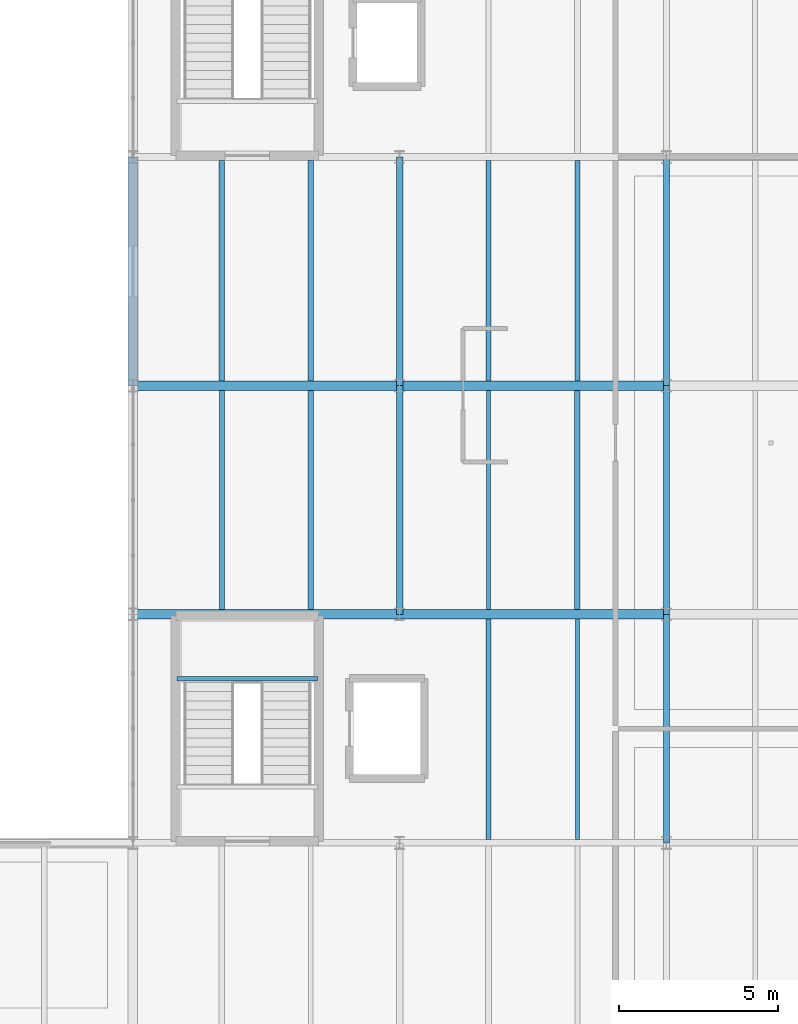
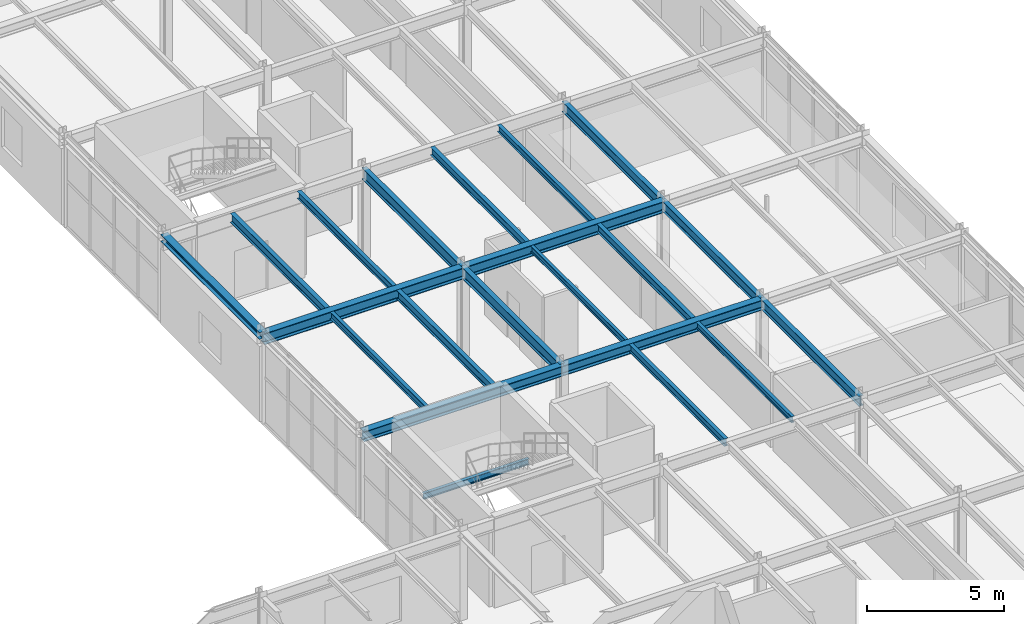
# One storey, part 77 of 134: 21 beams.
"""IFC4 building model written with IfcOpenShell, lengths in metres."""

from ifc_helpers import new_model, si_unit, derived_unit, direction, frame, origin, origin_2d, place, context, subcontext, project, spatial, i_section, extrude, material, material_profile, profile_set, type_object, element, save


model = new_model("IFC4")

# Units and contexts
model_context = context("Model", 3, precision=1e-05, world=origin(), true_north=direction((0.0, 1.0)))
body_context = subcontext(model_context, "Body", "Model", "MODEL_VIEW")
ifc_project = project(units=[si_unit("LENGTHUNIT", "METRE"), si_unit("AREAUNIT", "SQUARE_METRE"), si_unit("VOLUMEUNIT", "CUBIC_METRE"), si_unit("PLANEANGLEUNIT", "RADIAN"), si_unit("MASSUNIT", "GRAM", prefix="KILO"), derived_unit("THERMALTRANSMITTANCEUNIT", [(si_unit("MASSUNIT", "GRAM", prefix="KILO"), 1), (si_unit("TIMEUNIT", "SECOND"), -3), (si_unit("THERMODYNAMICTEMPERATUREUNIT", "KELVIN"), -1)])], contexts=[model_context])

# Site, building, storey
site_placement = place(None, origin())
site = spatial("IfcSite", under=ifc_project, at=site_placement, CompositionType="ELEMENT")
building_placement = place(site_placement, origin())
building = spatial("IfcBuilding", under=site, at=building_placement, Name="Kharveza Railside Sports Centre", CompositionType="ELEMENT")
storey_placement = place(building_placement, frame((0.0, 0.0, 12.89990234375)))
storey = spatial("IfcBuildingStorey", under=building, at=storey_placement, Name="L03", CompositionType="ELEMENT", Elevation=12.89990234375)

# Beams
ifc_material = material(Name="Steel S355J2", Category="steel")
ifc_material_profile_1 = material_profile(ifc_material, i_section(OverallWidth=0.199951171875, OverallDepth=0.5, WebThickness=0.01025390625, FlangeThickness=0.01611328125, FilletRadius=0.02099609375, at=origin_2d()), Name="IPE 500")
ifc_profile_set_1 = profile_set([ifc_material_profile_1], Name="Steel S355J2")
beam_type_1 = type_object("IfcBeamType", Name="BM-G03", PredefinedType="T_BEAM", material=ifc_profile_set_1)
beam_1_placement = place(storey_placement, frame((151.199951171875, 43.199951171875, 3.710205078125), z_axis=(0.0, 1.0, 0.0), x_axis=(-1.0, 0.0, 0.0)))
element("IfcBeam", 1, at=beam_1_placement, inside=storey, type_object=beam_type_1, Name="BM-NS-L03-B03-X1512-Y432", PredefinedType="T_BEAM", context=body_context, shape_type="SweptSolid", body=[
    extrude(i_section(OverallWidth=0.199951171875, OverallDepth=0.5, WebThickness=0.01025390625, FlangeThickness=0.01611328125, FilletRadius=0.02099609375, at=origin_2d()), origin(), (0.0, 0.0, 1.0), 7.199951171875),
])
beam_2_placement = place(storey_placement, frame((151.199951171875, 50.39990234375, 3.710205078125), z_axis=(0.0, 1.0, 0.0), x_axis=(-1.0, 0.0, 0.0)))
element("IfcBeam", 2, at=beam_2_placement, inside=storey, type_object=beam_type_1, Name="BM-NS-L03-B03-X1512-Y504", PredefinedType="T_BEAM", context=body_context, shape_type="SweptSolid", body=[
    extrude(i_section(OverallWidth=0.199951171875, OverallDepth=0.5, WebThickness=0.01025390625, FlangeThickness=0.01611328125, FilletRadius=0.02099609375, at=origin_2d()), origin(), (0.0, 0.0, 1.0), 7.2001953125),
])
ifc_material_profile_2 = material_profile(ifc_material, i_section(OverallWidth=0.18994140625, OverallDepth=0.449951171875, WebThickness=0.009521484375, FlangeThickness=0.0146484375, FilletRadius=0.02099609375, at=origin_2d()), Name="IPE 450")
ifc_profile_set_2 = profile_set([ifc_material_profile_2], Name="Steel S355J2")
beam_type_2 = type_object("IfcBeamType", Name="BM-G04", PredefinedType="T_BEAM", material=ifc_profile_set_2)
for number, where, z_axis, x_axis, name in (
    (3, (159.60009765625, 36.0, 3.735107421875), (0.0, 1.0, 0.0), (-1.0, 0.0, 0.0), "BM-NS-L03-B04-X1596-Y360"),
    (4, (159.60009765625, 43.199951171875, 3.735107421875), (0.0, 1.0, 0.0), (-1.0, 0.0, 0.0), "BM-NS-L03-B04-X1596-Y432"),
):
    element("IfcBeam", number, at=place(storey_placement, frame(where, z_axis=z_axis, x_axis=x_axis)), inside=storey, type_object=beam_type_2, Name=name, PredefinedType="T_BEAM", context=body_context, shape_type="SweptSolid", body=[
        extrude(i_section(OverallWidth=0.18994140625, OverallDepth=0.449951171875, WebThickness=0.009521484375, FlangeThickness=0.0146484375, FilletRadius=0.02099609375, at=origin_2d()), origin(), (0.0, 0.0, 1.0), 7.199951171875),
    ])
beam_3_placement = place(storey_placement, frame((159.60009765625, 50.39990234375, 3.735107421875), z_axis=(0.0, 1.0, 0.0), x_axis=(-1.0, 0.0, 0.0)))
element("IfcBeam", 5, at=beam_3_placement, inside=storey, type_object=beam_type_2, Name="BM-NS-L03-B04-X1596-Y504", PredefinedType="T_BEAM", context=body_context, shape_type="SweptSolid", body=[
    extrude(i_section(OverallWidth=0.18994140625, OverallDepth=0.449951171875, WebThickness=0.009521484375, FlangeThickness=0.0146484375, FilletRadius=0.02099609375, at=origin_2d()), origin(), (0.0, 0.0, 1.0), 7.2001953125),
])
ifc_material_profile_3 = material_profile(ifc_material, i_section(OverallWidth=0.300048828125, OverallDepth=0.5, WebThickness=0.014404296875, FlangeThickness=0.028076171875, FilletRadius=0.027099609375, at=origin_2d()), Name="HEB 500")
ifc_profile_set_3 = profile_set([ifc_material_profile_3], Name="Steel S355J2")
beam_type_3 = type_object("IfcBeamType", Name="BM-G05", PredefinedType="T_BEAM", material=ifc_profile_set_3)
beam_4_placement = place(storey_placement, frame((142.800048828125, 50.39990234375, 3.710205078125), z_axis=(1.0, 0.0, 0.0), x_axis=(0.0, 1.0, 0.0)))
element("IfcBeam", 6, at=beam_4_placement, inside=storey, type_object=beam_type_3, Name="BM-EW-L03-B05-X1428-Y504", PredefinedType="T_BEAM", context=body_context, shape_type="SweptSolid", body=[
    extrude(i_section(OverallWidth=0.300048828125, OverallDepth=0.5, WebThickness=0.014404296875, FlangeThickness=0.028076171875, FilletRadius=0.027099609375, at=origin_2d()), origin(), (0.0, 0.0, 1.0), 8.39990234375),
])
beam_5_placement = place(storey_placement, frame((151.199951171875, 50.39990234375, 3.710205078125), z_axis=(1.0, 0.0, 0.0), x_axis=(0.0, 1.0, 0.0)))
element("IfcBeam", 7, at=beam_5_placement, inside=storey, type_object=beam_type_3, Name="BM-EW-L03-B05-X1512-Y504", PredefinedType="T_BEAM", context=body_context, shape_type="SweptSolid", body=[
    extrude(i_section(OverallWidth=0.300048828125, OverallDepth=0.5, WebThickness=0.014404296875, FlangeThickness=0.028076171875, FilletRadius=0.027099609375, at=origin_2d()), origin(), (0.0, 0.0, 1.0), 8.400146484375),
])
ifc_material_profile_4 = material_profile(ifc_material, i_section(OverallWidth=0.300048828125, OverallDepth=0.449951171875, WebThickness=0.013916015625, FlangeThickness=0.02587890625, FilletRadius=0.027099609375, at=origin_2d()), Name="HEB 450")
ifc_profile_set_4 = profile_set([ifc_material_profile_4], Name="Steel S355J2")
beam_type_4 = type_object("IfcBeamType", Name="BM-G06", PredefinedType="T_BEAM", material=ifc_profile_set_4)
beam_6_placement = place(storey_placement, frame((142.800048828125, 43.199951171875, 3.735107421875), z_axis=(1.0, 0.0, 0.0), x_axis=(0.0, 1.0, 0.0)))
element("IfcBeam", 8, at=beam_6_placement, inside=storey, type_object=beam_type_4, Name="BM-EW-L03-B06-X1428-Y432", PredefinedType="T_BEAM", context=body_context, shape_type="SweptSolid", body=[
    extrude(i_section(OverallWidth=0.300048828125, OverallDepth=0.449951171875, WebThickness=0.013916015625, FlangeThickness=0.02587890625, FilletRadius=0.027099609375, at=origin_2d()), origin(), (0.0, 0.0, 1.0), 8.39990234375),
])
beam_7_placement = place(storey_placement, frame((151.199951171875, 43.199951171875, 3.735107421875), z_axis=(1.0, 0.0, 0.0), x_axis=(0.0, 1.0, 0.0)))
element("IfcBeam", 9, at=beam_7_placement, inside=storey, type_object=beam_type_4, Name="BM-EW-L03-B06-X1512-Y432", PredefinedType="T_BEAM", context=body_context, shape_type="SweptSolid", body=[
    extrude(i_section(OverallWidth=0.300048828125, OverallDepth=0.449951171875, WebThickness=0.013916015625, FlangeThickness=0.02587890625, FilletRadius=0.027099609375, at=origin_2d()), origin(), (0.0, 0.0, 1.0), 8.400146484375),
])
ifc_material_profile_5 = material_profile(ifc_material, i_section(OverallWidth=0.179931640625, OverallDepth=0.39990234375, WebThickness=0.008544921875, FlangeThickness=0.013427734375, FilletRadius=0.02099609375, at=origin_2d()), Name="IPE 400")
ifc_profile_set_5 = profile_set([ifc_material_profile_5], Name="Steel S355J2")
beam_type_5 = type_object("IfcBeamType", Name="BM-S01", PredefinedType="BEAM", material=ifc_profile_set_5)
beam_8_placement = place(storey_placement, frame((148.39990234375, 43.346923828125, 3.760009765625), z_axis=(0.0, 1.0, 0.0), x_axis=(-1.0, 0.0, 0.0)))
element("IfcBeam", 10, at=beam_8_placement, inside=storey, type_object=beam_type_5, Name="BM-SEC-L03-B09-X1484-Y432", PredefinedType="BEAM", context=body_context, shape_type="SweptSolid", body=[
    extrude(i_section(OverallWidth=0.179931640625, OverallDepth=0.39990234375, WebThickness=0.008544921875, FlangeThickness=0.013427734375, FilletRadius=0.02099609375, at=origin_2d()), origin(), (0.0, 0.0, 1.0), 6.906005859375),
])
beam_9_placement = place(storey_placement, frame((145.60009765625, 50.547119140625, 3.760009765625), z_axis=(0.0, 1.0, 0.0), x_axis=(-1.0, 0.0, 0.0)))
element("IfcBeam", 11, at=beam_9_placement, inside=storey, type_object=beam_type_5, Name="BM-SEC-L03-B09-X1456-Y504", PredefinedType="BEAM", context=body_context, shape_type="SweptSolid", body=[
    extrude(i_section(OverallWidth=0.179931640625, OverallDepth=0.39990234375, WebThickness=0.008544921875, FlangeThickness=0.013427734375, FilletRadius=0.02099609375, at=origin_2d()), origin(), (0.0, 0.0, 1.0), 6.94580078125),
])
ifc_material_profile_6 = material_profile(ifc_material, i_section(OverallWidth=0.169921875, OverallDepth=0.360107421875, WebThickness=0.008056640625, FlangeThickness=0.0126953125, FilletRadius=0.01806640625, at=origin_2d()), Name="IPE 360")
ifc_profile_set_6 = profile_set([ifc_material_profile_6], Name="Steel S355J2")
beam_type_6 = type_object("IfcBeamType", Name="BM-S02", PredefinedType="BEAM", material=ifc_profile_set_6)
beam_10_placement = place(storey_placement, frame((156.800048828125, 43.346923828125, 3.780029296875), z_axis=(0.0, 1.0, 0.0), x_axis=(-1.0, 0.0, 0.0)))
element("IfcBeam", 12, at=beam_10_placement, inside=storey, type_object=beam_type_6, Name="BM-SEC-L03-B10-X1568-Y432", PredefinedType="BEAM", context=body_context, shape_type="SweptSolid", body=[
    extrude(i_section(OverallWidth=0.169921875, OverallDepth=0.360107421875, WebThickness=0.008056640625, FlangeThickness=0.0126953125, FilletRadius=0.01806640625, at=origin_2d()), origin(), (0.0, 0.0, 1.0), 6.906005859375),
])
beam_11_placement = place(storey_placement, frame((154.0, 50.547119140625, 3.780029296875), z_axis=(0.0, 1.0, 0.0), x_axis=(-1.0, 0.0, 0.0)))
element("IfcBeam", 13, at=beam_11_placement, inside=storey, type_object=beam_type_6, Name="BM-SEC-L03-B10-X1540-Y504", PredefinedType="BEAM", context=body_context, shape_type="SweptSolid", body=[
    extrude(i_section(OverallWidth=0.169921875, OverallDepth=0.360107421875, WebThickness=0.008056640625, FlangeThickness=0.0126953125, FilletRadius=0.01806640625, at=origin_2d()), origin(), (0.0, 0.0, 1.0), 6.94580078125),
])
ifc_material_profile_7 = material_profile(ifc_material, i_section(OverallWidth=0.159912109375, OverallDepth=0.330078125, WebThickness=0.007568359375, FlangeThickness=0.011474609375, FilletRadius=0.01806640625, at=origin_2d()), Name="IPE 330")
ifc_profile_set_7 = profile_set([ifc_material_profile_7], Name="Steel S355J2")
beam_type_7 = type_object("IfcBeamType", Name="BM-S03", PredefinedType="BEAM", material=ifc_profile_set_7)
beam_12_placement = place(storey_placement, frame((148.39990234375, 50.547119140625, 3.795166015625), z_axis=(0.0, 1.0, 0.0), x_axis=(-1.0, 0.0, 0.0)))
element("IfcBeam", 14, at=beam_12_placement, inside=storey, type_object=beam_type_7, Name="BM-SEC-L03-B11-X1484-Y504", PredefinedType="BEAM", context=body_context, shape_type="SweptSolid", body=[
    extrude(i_section(OverallWidth=0.159912109375, OverallDepth=0.330078125, WebThickness=0.007568359375, FlangeThickness=0.011474609375, FilletRadius=0.01806640625, at=origin_2d()), origin(), (0.0, 0.0, 1.0), 6.94580078125),
])
beam_13_placement = place(storey_placement, frame((154.0, 36.10205078125, 3.795166015625), z_axis=(0.0, 1.0, 0.0), x_axis=(-1.0, 0.0, 0.0)))
element("IfcBeam", 15, at=beam_13_placement, inside=storey, type_object=beam_type_7, Name="BM-SEC-L03-B11-X1540-Y360", PredefinedType="BEAM", context=body_context, shape_type="SweptSolid", body=[
    extrude(i_section(OverallWidth=0.159912109375, OverallDepth=0.330078125, WebThickness=0.007568359375, FlangeThickness=0.011474609375, FilletRadius=0.01806640625, at=origin_2d()), origin(), (0.0, 0.0, 1.0), 6.950927734375),
])
ifc_material_profile_8 = material_profile(ifc_material, i_section(OverallWidth=0.14990234375, OverallDepth=0.300048828125, WebThickness=0.007080078125, FlangeThickness=0.0107421875, FilletRadius=0.014892578125, at=origin_2d()), Name="IPE 300")
ifc_profile_set_8 = profile_set([ifc_material_profile_8], Name="Steel S355J2")
beam_type_8 = type_object("IfcBeamType", Name="BM-S04", PredefinedType="BEAM", material=ifc_profile_set_8)
beam_14_placement = place(storey_placement, frame((145.60009765625, 43.346923828125, 3.81005859375), z_axis=(0.0, 1.0, 0.0), x_axis=(-1.0, 0.0, 0.0)))
element("IfcBeam", 16, at=beam_14_placement, inside=storey, type_object=beam_type_8, Name="BM-SEC-L03-B12-X1456-Y432", PredefinedType="BEAM", context=body_context, shape_type="SweptSolid", body=[
    extrude(i_section(OverallWidth=0.14990234375, OverallDepth=0.300048828125, WebThickness=0.007080078125, FlangeThickness=0.0107421875, FilletRadius=0.014892578125, at=origin_2d()), origin(), (0.0, 0.0, 1.0), 6.906005859375),
])
beam_15_placement = place(storey_placement, frame((156.800048828125, 50.547119140625, 3.81005859375), z_axis=(0.0, 1.0, 0.0), x_axis=(-1.0, 0.0, 0.0)))
element("IfcBeam", 17, at=beam_15_placement, inside=storey, type_object=beam_type_8, Name="BM-SEC-L03-B12-X1568-Y504", PredefinedType="BEAM", context=body_context, shape_type="SweptSolid", body=[
    extrude(i_section(OverallWidth=0.14990234375, OverallDepth=0.300048828125, WebThickness=0.007080078125, FlangeThickness=0.0107421875, FilletRadius=0.014892578125, at=origin_2d()), origin(), (0.0, 0.0, 1.0), 6.94580078125),
])
ifc_material_profile_9 = material_profile(ifc_material, i_section(OverallWidth=0.135009765625, OverallDepth=0.27001953125, WebThickness=0.006591796875, FlangeThickness=0.01025390625, FilletRadius=0.014892578125, at=origin_2d()), Name="IPE 270")
ifc_profile_set_9 = profile_set([ifc_material_profile_9], Name="Steel S355J2")
beam_type_9 = type_object("IfcBeamType", Name="BM-S05", PredefinedType="BEAM", material=ifc_profile_set_9)
beam_16_placement = place(storey_placement, frame((156.800048828125, 36.10205078125, 3.8251953125), z_axis=(0.0, 1.0, 0.0), x_axis=(-1.0, 0.0, 0.0)))
element("IfcBeam", 18, at=beam_16_placement, inside=storey, type_object=beam_type_9, Name="BM-SEC-L03-B13-X1568-Y360", PredefinedType="BEAM", context=body_context, shape_type="SweptSolid", body=[
    extrude(i_section(OverallWidth=0.135009765625, OverallDepth=0.27001953125, WebThickness=0.006591796875, FlangeThickness=0.01025390625, FilletRadius=0.014892578125, at=origin_2d()), origin(), (0.0, 0.0, 1.0), 6.950927734375),
])
beam_17_placement = place(storey_placement, frame((154.0, 43.346923828125, 3.8251953125), z_axis=(0.0, 1.0, 0.0), x_axis=(-1.0, 0.0, 0.0)))
element("IfcBeam", 19, at=beam_17_placement, inside=storey, type_object=beam_type_9, Name="BM-SEC-L03-B13-X1540-Y432", PredefinedType="BEAM", context=body_context, shape_type="SweptSolid", body=[
    extrude(i_section(OverallWidth=0.135009765625, OverallDepth=0.27001953125, WebThickness=0.006591796875, FlangeThickness=0.01025390625, FilletRadius=0.014892578125, at=origin_2d()), origin(), (0.0, 0.0, 1.0), 6.906005859375),
])
beam_18_placement = place(storey_placement, frame((144.179931640625, 41.169921875, 1.780029296875), z_axis=(1.0, 0.0, 0.0), x_axis=(0.0, 1.0, 0.0)))
element("IfcBeam", 20, at=beam_18_placement, inside=storey, type_object=beam_type_9, Name="BM-HLND-ST1-L03", PredefinedType="BEAM", context=body_context, shape_type="SweptSolid", body=[
    extrude(i_section(OverallWidth=0.135009765625, OverallDepth=0.27001953125, WebThickness=0.006591796875, FlangeThickness=0.01025390625, FilletRadius=0.014892578125, at=origin_2d()), origin(), (0.0, 0.0, 1.0), 4.440185546875),
])
ifc_material_profile_10 = material_profile(ifc_material, i_section(OverallWidth=0.300048828125, OverallDepth=0.31005859375, WebThickness=0.009033203125, FlangeThickness=0.015380859375, FilletRadius=0.027099609375, at=origin_2d()), Name="HEA 320")
ifc_profile_set_10 = profile_set([ifc_material_profile_10], Name="Steel S355J2")
beam_type_10 = type_object("IfcBeamType", Name="BM-S06", PredefinedType="BEAM", material=ifc_profile_set_10)
beam_19_placement = place(storey_placement, frame((142.800048828125, 50.39990234375, 3.80517578125), z_axis=(0.0, 1.0, 0.0), x_axis=(-1.0, 0.0, 0.0)))
element("IfcBeam", 21, at=beam_19_placement, inside=storey, type_object=beam_type_10, Name="BM-NS-L03-B14-X1428-Y504", PredefinedType="BEAM", context=body_context, shape_type="SweptSolid", body=[
    extrude(i_section(OverallWidth=0.300048828125, OverallDepth=0.31005859375, WebThickness=0.009033203125, FlangeThickness=0.015380859375, FilletRadius=0.027099609375, at=origin_2d()), origin(), (0.0, 0.0, 1.0), 7.2001953125),
])

save(model, "model.ifc")
